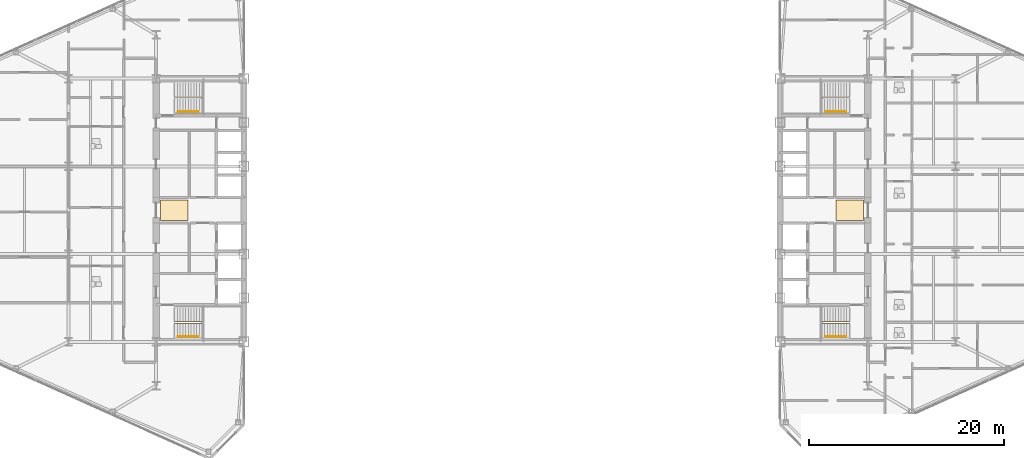
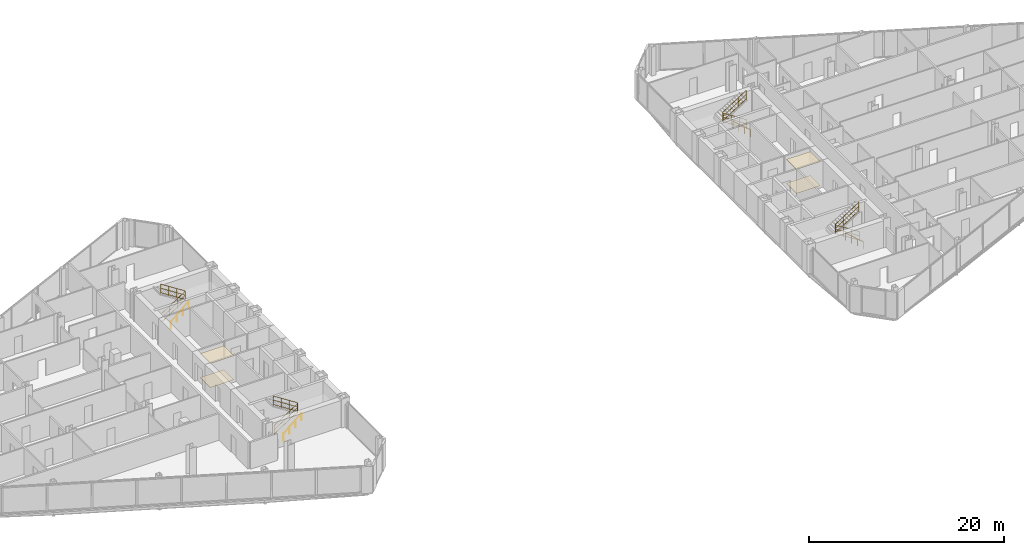
# One storey, part 26 of 27: 8 railings, 4 coverings.
"""IFC4 building model written with IfcOpenShell, lengths in metres."""

from ifc_helpers import new_model, si_unit, direction, frame, origin, origin_2d, place, context, subcontext, project, spatial, polyline, circle, outline, extrude, material, layer, layer_set, type_object, element, save


model = new_model("IFC4")

# Units and contexts
model_context = context("Model", 3, precision=1e-05, world=origin(), true_north=direction((0.0, 1.0)))
body_context = subcontext(model_context, "Body", "Model", "MODEL_VIEW")
ifc_project = project(units=[si_unit("LENGTHUNIT", "METRE"), si_unit("AREAUNIT", "SQUARE_METRE"), si_unit("VOLUMEUNIT", "CUBIC_METRE"), si_unit("PLANEANGLEUNIT", "RADIAN"), si_unit("MASSUNIT", "GRAM", prefix="KILO")], contexts=[model_context])

# Site, building, storey
site_placement = place(None, origin())
site = spatial("IfcSite", under=ifc_project, at=site_placement, CompositionType="ELEMENT")
building_placement = place(site_placement, origin())
building = spatial("IfcBuilding", under=site, at=building_placement, Name="Seokmaru Belvedere", CompositionType="ELEMENT")
storey_placement = place(building_placement, frame((0.0, 0.0, 83.699951171875)))
storey = spatial("IfcBuildingStorey", under=building, at=storey_placement, Name="L22", CompositionType="ELEMENT", Elevation=83.699951171875)

# Coverings
ifc_material_1 = material(Name="Engineered White Oak Timber", Category="wood")
ifc_layer_1 = layer(ifc_material_1, 0.02197265625)
ifc_layer_set_1 = layer_set([ifc_layer_1], Name="Engineered White Oak Timber")
covering_type_1 = type_object("IfcCoveringType", Name="Engineered Oak Residence Floor Finish 22", PredefinedType="FLOORING", material=ifc_layer_set_1)
covering_1_placement = place(storey_placement, origin())
element("IfcCovering", 1, at=covering_1_placement, inside=storey, type_object=covering_type_1, Name="L22 W Foyer Floor Finish", PredefinedType="FLOORING", context=body_context, shape_type="SweptSolid", body=[
    extrude(outline(polyline([(-36.050048828125, -1.050048828125), (-33.25, -1.050048828125), (-33.25, 1.050048828125), (-36.050048828125, 1.050048828125), (-36.050048828125, -1.050048828125)])), origin(), (0.0, 0.0, 1.0), 0.02197265625),
])
covering_2_placement = place(storey_placement, origin())
element("IfcCovering", 2, at=covering_2_placement, inside=storey, type_object=covering_type_1, Name="L22 E Foyer Floor Finish", PredefinedType="FLOORING", context=body_context, shape_type="SweptSolid", body=[
    extrude(outline(polyline([(33.25, -1.050048828125), (36.050048828125, -1.050048828125), (36.050048828125, 1.050048828125), (33.25, 1.050048828125), (33.25, -1.050048828125)])), origin(), (0.0, 0.0, 1.0), 0.02197265625),
])
ifc_material_2 = material(Name="Fire-Rated Gypsum Shaftwall")
ifc_layer_2 = layer(ifc_material_2, 0.02490234375)
ifc_layer_set_2 = layer_set([ifc_layer_2], Name="Fire-Rated Gypsum Shaftwall")
covering_type_2 = type_object("IfcCoveringType", Name="Perforated Acoustic Gypsum Suspended Ceiling 25", PredefinedType="CEILING", material=ifc_layer_set_2)
covering_3_placement = place(storey_placement, frame((0.0, 0.0, 2.989990234375)))
element("IfcCovering", 3, at=covering_3_placement, inside=storey, type_object=covering_type_2, Name="L22 W Lift Foyer Acoustic Ceiling", PredefinedType="CEILING", context=body_context, shape_type="SweptSolid", body=[
    extrude(outline(polyline([(-36.050048828125, -1.050048828125), (-33.25, -1.050048828125), (-33.25, 1.050048828125), (-36.050048828125, 1.050048828125), (-36.050048828125, -1.050048828125)])), origin(), (0.0, 0.0, 1.0), 0.025146484375),
])
covering_4_placement = place(storey_placement, frame((0.0, 0.0, 2.989990234375)))
element("IfcCovering", 4, at=covering_4_placement, inside=storey, type_object=covering_type_2, Name="L22 E Lift Foyer Acoustic Ceiling", PredefinedType="CEILING", context=body_context, shape_type="SweptSolid", body=[
    extrude(outline(polyline([(33.25, -1.050048828125), (36.050048828125, -1.050048828125), (36.050048828125, 1.050048828125), (33.25, 1.050048828125), (33.25, -1.050048828125)])), origin(), (0.0, 0.0, 1.0), 0.025146484375),
])

# Railings
ifc_material_3 = material(Name="Stainless Steel 316", Category="steel")
railing_type_1 = type_object("IfcRailingType", Name="Stainless Steel Wall and Flight Handrail 900", PredefinedType="HANDRAIL", material=ifc_material_3)
for number, where, name in (
    (5, (-34.25, -12.949951171875, 0.0), "L22 Stair ST-W1 Wall Handrail"),
    (6, (-34.25, 10.110107421875, 0.0), "L22 Stair ST-W2 Wall Handrail"),
):
    element("IfcRailing", number, at=place(storey_placement, frame(where)), inside=storey, type_object=railing_type_1, Name=name, PredefinedType="HANDRAIL", context=body_context, shape_type="SweptSolid", body=[
        extrude(circle(Radius=0.02392578125, at=origin_2d()), frame((0.0, 0.0, 0.8759765625), z_axis=(0.759262832861, 0.0, 0.650784104474), x_axis=(0.0, 1.0, 0.0)), (0.0, 0.0, 1.0), 2.765869140625),
        extrude(circle(Radius=0.02099609375, at=origin_2d()), origin(), (0.0, 0.0, 1.0), 0.851806640625),
        extrude(circle(Radius=0.02099609375, at=origin_2d()), frame((0.699951171875, 0.0, 0.60009765625)), (0.0, 0.0, 1.0), 0.851806640625),
        extrude(circle(Radius=0.02099609375, at=origin_2d()), frame((1.400146484375, 0.0, 1.199951171875)), (0.0, 0.0, 1.0), 0.851806640625),
        extrude(circle(Radius=0.02099609375, at=origin_2d()), frame((2.10009765625, 0.0, 1.800048828125)), (0.0, 0.0, 1.0), 0.851806640625),
    ])
for number, where, name in (
    (7, (34.25, -12.949951171875, 0.0), "L22 Stair ST-E1 Wall Handrail"),
    (8, (34.25, 10.110107421875, 0.0), "L22 Stair ST-E2 Wall Handrail"),
):
    element("IfcRailing", number, at=place(storey_placement, frame(where)), inside=storey, type_object=railing_type_1, Name=name, PredefinedType="HANDRAIL", context=body_context, shape_type="SweptSolid", body=[
        extrude(circle(Radius=0.02392578125, at=origin_2d()), frame((0.0, 0.0, 0.8759765625), z_axis=(-0.759262832861, 0.0, 0.650784104474), x_axis=(0.0, -1.0, 0.0)), (0.0, 0.0, 1.0), 2.765869140625),
        extrude(circle(Radius=0.02099609375, at=origin_2d()), origin(), (0.0, 0.0, 1.0), 0.851806640625),
        extrude(circle(Radius=0.02099609375, at=origin_2d()), frame((-0.699951171875, 0.0, 0.60009765625)), (0.0, 0.0, 1.0), 0.851806640625),
        extrude(circle(Radius=0.02099609375, at=origin_2d()), frame((-1.400146484375, 0.0, 1.199951171875)), (0.0, 0.0, 1.0), 0.851806640625),
        extrude(circle(Radius=0.02099609375, at=origin_2d()), frame((-2.10009765625, 0.0, 1.800048828125)), (0.0, 0.0, 1.0), 0.851806640625),
    ])
railing_type_2 = type_object("IfcRailingType", Name="Stair Well and Atrium Steel Guardrail 1200", PredefinedType="GUARDRAIL", material=ifc_material_3)
railing_1_placement = place(storey_placement, frame((-34.60009765625, -11.60009765625, 0.0)))
element("IfcRailing", 9, at=railing_1_placement, inside=storey, type_object=railing_type_2, Name="L22 Stair ST-W1 Inner Well Guardrail", PredefinedType="GUARDRAIL", context=body_context, shape_type="SweptSolid", body=[
    extrude(circle(Radius=0.02392578125, at=origin_2d()), frame((0.0, 0.0, 1.17578125), z_axis=(0.841176092368, 0.0, 0.540761298198), x_axis=(0.0, 1.0, 0.0)), (0.0, 0.0, 1.0), 3.32861328125),
    extrude(circle(Radius=0.02392578125, at=origin_2d()), frame((0.0, 0.0, 0.1201171875), z_axis=(0.841176092368, 0.0, 0.540761298198), x_axis=(0.0, 1.0, 0.0)), (0.0, 0.0, 1.0), 3.32861328125),
    extrude(circle(Radius=0.02392578125, at=origin_2d()), frame((0.0, 0.0, 0.659912109375), z_axis=(0.841176092368, 0.0, 0.540761298198), x_axis=(0.0, 1.0, 0.0)), (0.0, 0.0, 1.0), 3.32861328125),
    extrude(circle(Radius=0.02392578125, at=origin_2d()), frame((2.800048828125, 0.0, 2.97607421875), z_axis=(0.0, 1.0, 0.0), x_axis=(-1.0, 0.0, 0.0)), (0.0, 0.0, 1.0), 0.14013671875),
    extrude(circle(Radius=0.02392578125, at=origin_2d()), frame((2.800048828125, 0.0, 1.920166015625), z_axis=(0.0, 1.0, 0.0), x_axis=(-1.0, 0.0, 0.0)), (0.0, 0.0, 1.0), 0.14013671875),
    extrude(circle(Radius=0.02392578125, at=origin_2d()), frame((2.800048828125, 0.0, 2.4599609375), z_axis=(0.0, 1.0, 0.0), x_axis=(-1.0, 0.0, 0.0)), (0.0, 0.0, 1.0), 0.14013671875),
    extrude(circle(Radius=0.02392578125, at=origin_2d()), frame((2.800048828125, 0.14013671875, 2.97607421875), z_axis=(-0.841176092368, 0.0, 0.540761298198), x_axis=(0.0, -1.0, 0.0)), (0.0, 0.0, 1.0), 3.32861328125),
    extrude(circle(Radius=0.02392578125, at=origin_2d()), frame((2.800048828125, 0.14013671875, 1.920166015625), z_axis=(-0.841176092368, 0.0, 0.540761298198), x_axis=(0.0, -1.0, 0.0)), (0.0, 0.0, 1.0), 3.32861328125),
    extrude(circle(Radius=0.02392578125, at=origin_2d()), frame((2.800048828125, 0.14013671875, 2.4599609375), z_axis=(-0.841176092368, 0.0, 0.540761298198), x_axis=(0.0, -1.0, 0.0)), (0.0, 0.0, 1.0), 3.32861328125),
    extrude(circle(Radius=0.02099609375, at=origin_2d()), origin(), (0.0, 0.0, 1.0), 1.15185546875),
    extrude(circle(Radius=0.02099609375, at=origin_2d()), frame((0.933349609375, 0.0, 0.60009765625)), (0.0, 0.0, 1.0), 1.15185546875),
    extrude(circle(Radius=0.02099609375, at=origin_2d()), frame((1.86669921875, 0.0, 1.199951171875)), (0.0, 0.0, 1.0), 1.15185546875),
    extrude(circle(Radius=0.02099609375, at=origin_2d()), frame((2.800048828125, 0.0, 1.800048828125)), (0.0, 0.0, 1.0), 1.15185546875),
    extrude(circle(Radius=0.02099609375, at=origin_2d()), frame((2.800048828125, 0.14013671875, 1.800048828125)), (0.0, 0.0, 1.0), 1.15185546875),
    extrude(circle(Radius=0.02099609375, at=origin_2d()), frame((1.86669921875, 0.14013671875, 2.400146484375)), (0.0, 0.0, 1.0), 1.15185546875),
    extrude(circle(Radius=0.02099609375, at=origin_2d()), frame((0.933349609375, 0.14013671875, 3.0)), (0.0, 0.0, 1.0), 1.15185546875),
    extrude(circle(Radius=0.02099609375, at=origin_2d()), frame((0.0, 0.14013671875, 3.60009765625)), (0.0, 0.0, 1.0), 1.15185546875),
])
railing_2_placement = place(storey_placement, frame((-34.60009765625, 11.4599609375, 0.0)))
element("IfcRailing", 10, at=railing_2_placement, inside=storey, type_object=railing_type_2, Name="L22 Stair ST-W2 Inner Well Guardrail", PredefinedType="GUARDRAIL", context=body_context, shape_type="SweptSolid", body=[
    extrude(circle(Radius=0.02392578125, at=origin_2d()), frame((0.0, 0.0, 1.17578125), z_axis=(0.841176092368, 0.0, 0.540761298198), x_axis=(0.0, 1.0, 0.0)), (0.0, 0.0, 1.0), 3.32861328125),
    extrude(circle(Radius=0.02392578125, at=origin_2d()), frame((0.0, 0.0, 0.1201171875), z_axis=(0.841176092368, 0.0, 0.540761298198), x_axis=(0.0, 1.0, 0.0)), (0.0, 0.0, 1.0), 3.32861328125),
    extrude(circle(Radius=0.02392578125, at=origin_2d()), frame((0.0, 0.0, 0.659912109375), z_axis=(0.841176092368, 0.0, 0.540761298198), x_axis=(0.0, 1.0, 0.0)), (0.0, 0.0, 1.0), 3.32861328125),
    extrude(circle(Radius=0.02392578125, at=origin_2d()), frame((2.800048828125, 0.0, 2.97607421875), z_axis=(0.0, 1.0, 0.0), x_axis=(-1.0, 0.0, 0.0)), (0.0, 0.0, 1.0), 0.14013671875),
    extrude(circle(Radius=0.02392578125, at=origin_2d()), frame((2.800048828125, 0.0, 1.920166015625), z_axis=(0.0, 1.0, 0.0), x_axis=(-1.0, 0.0, 0.0)), (0.0, 0.0, 1.0), 0.14013671875),
    extrude(circle(Radius=0.02392578125, at=origin_2d()), frame((2.800048828125, 0.0, 2.4599609375), z_axis=(0.0, 1.0, 0.0), x_axis=(-1.0, 0.0, 0.0)), (0.0, 0.0, 1.0), 0.14013671875),
    extrude(circle(Radius=0.02392578125, at=origin_2d()), frame((2.800048828125, 0.14013671875, 2.97607421875), z_axis=(-0.841176092368, 0.0, 0.540761298198), x_axis=(0.0, -1.0, 0.0)), (0.0, 0.0, 1.0), 3.32861328125),
    extrude(circle(Radius=0.02392578125, at=origin_2d()), frame((2.800048828125, 0.14013671875, 1.920166015625), z_axis=(-0.841176092368, 0.0, 0.540761298198), x_axis=(0.0, -1.0, 0.0)), (0.0, 0.0, 1.0), 3.32861328125),
    extrude(circle(Radius=0.02392578125, at=origin_2d()), frame((2.800048828125, 0.14013671875, 2.4599609375), z_axis=(-0.841176092368, 0.0, 0.540761298198), x_axis=(0.0, -1.0, 0.0)), (0.0, 0.0, 1.0), 3.32861328125),
    extrude(circle(Radius=0.02099609375, at=origin_2d()), origin(), (0.0, 0.0, 1.0), 1.15185546875),
    extrude(circle(Radius=0.02099609375, at=origin_2d()), frame((0.933349609375, 0.0, 0.60009765625)), (0.0, 0.0, 1.0), 1.15185546875),
    extrude(circle(Radius=0.02099609375, at=origin_2d()), frame((1.86669921875, 0.0, 1.199951171875)), (0.0, 0.0, 1.0), 1.15185546875),
    extrude(circle(Radius=0.02099609375, at=origin_2d()), frame((2.800048828125, 0.0, 1.800048828125)), (0.0, 0.0, 1.0), 1.15185546875),
    extrude(circle(Radius=0.02099609375, at=origin_2d()), frame((2.800048828125, 0.14013671875, 1.800048828125)), (0.0, 0.0, 1.0), 1.15185546875),
    extrude(circle(Radius=0.02099609375, at=origin_2d()), frame((1.86669921875, 0.14013671875, 2.400146484375)), (0.0, 0.0, 1.0), 1.15185546875),
    extrude(circle(Radius=0.02099609375, at=origin_2d()), frame((0.933349609375, 0.14013671875, 3.0)), (0.0, 0.0, 1.0), 1.15185546875),
    extrude(circle(Radius=0.02099609375, at=origin_2d()), frame((0.0, 0.14013671875, 3.60009765625)), (0.0, 0.0, 1.0), 1.15185546875),
])
railing_3_placement = place(storey_placement, frame((34.60009765625, -11.60009765625, 0.0)))
element("IfcRailing", 11, at=railing_3_placement, inside=storey, type_object=railing_type_2, Name="L22 Stair ST-E1 Inner Well Guardrail", PredefinedType="GUARDRAIL", context=body_context, shape_type="SweptSolid", body=[
    extrude(circle(Radius=0.02392578125, at=origin_2d()), frame((0.0, 0.0, 1.17578125), z_axis=(-0.841176092368, 0.0, 0.540761298198), x_axis=(0.0, -1.0, 0.0)), (0.0, 0.0, 1.0), 3.32861328125),
    extrude(circle(Radius=0.02392578125, at=origin_2d()), frame((0.0, 0.0, 0.1201171875), z_axis=(-0.841176092368, 0.0, 0.540761298198), x_axis=(0.0, -1.0, 0.0)), (0.0, 0.0, 1.0), 3.32861328125),
    extrude(circle(Radius=0.02392578125, at=origin_2d()), frame((0.0, 0.0, 0.659912109375), z_axis=(-0.841176092368, 0.0, 0.540761298198), x_axis=(0.0, -1.0, 0.0)), (0.0, 0.0, 1.0), 3.32861328125),
    extrude(circle(Radius=0.02392578125, at=origin_2d()), frame((-2.800048828125, 0.0, 2.97607421875), z_axis=(0.0, 1.0, 0.0), x_axis=(-1.0, 0.0, 0.0)), (0.0, 0.0, 1.0), 0.14013671875),
    extrude(circle(Radius=0.02392578125, at=origin_2d()), frame((-2.800048828125, 0.0, 1.920166015625), z_axis=(0.0, 1.0, 0.0), x_axis=(-1.0, 0.0, 0.0)), (0.0, 0.0, 1.0), 0.14013671875),
    extrude(circle(Radius=0.02392578125, at=origin_2d()), frame((-2.800048828125, 0.0, 2.4599609375), z_axis=(0.0, 1.0, 0.0), x_axis=(-1.0, 0.0, 0.0)), (0.0, 0.0, 1.0), 0.14013671875),
    extrude(circle(Radius=0.02392578125, at=origin_2d()), frame((-2.800048828125, 0.14013671875, 2.97607421875), z_axis=(0.841176092368, 0.0, 0.540761298198), x_axis=(0.0, 1.0, 0.0)), (0.0, 0.0, 1.0), 3.32861328125),
    extrude(circle(Radius=0.02392578125, at=origin_2d()), frame((-2.800048828125, 0.14013671875, 1.920166015625), z_axis=(0.841176092368, 0.0, 0.540761298198), x_axis=(0.0, 1.0, 0.0)), (0.0, 0.0, 1.0), 3.32861328125),
    extrude(circle(Radius=0.02392578125, at=origin_2d()), frame((-2.800048828125, 0.14013671875, 2.4599609375), z_axis=(0.841176092368, 0.0, 0.540761298198), x_axis=(0.0, 1.0, 0.0)), (0.0, 0.0, 1.0), 3.32861328125),
    extrude(circle(Radius=0.02099609375, at=origin_2d()), origin(), (0.0, 0.0, 1.0), 1.15185546875),
    extrude(circle(Radius=0.02099609375, at=origin_2d()), frame((-0.933349609375, 0.0, 0.60009765625)), (0.0, 0.0, 1.0), 1.15185546875),
    extrude(circle(Radius=0.02099609375, at=origin_2d()), frame((-1.86669921875, 0.0, 1.199951171875)), (0.0, 0.0, 1.0), 1.15185546875),
    extrude(circle(Radius=0.02099609375, at=origin_2d()), frame((-2.800048828125, 0.0, 1.800048828125)), (0.0, 0.0, 1.0), 1.15185546875),
    extrude(circle(Radius=0.02099609375, at=origin_2d()), frame((-2.800048828125, 0.14013671875, 1.800048828125)), (0.0, 0.0, 1.0), 1.15185546875),
    extrude(circle(Radius=0.02099609375, at=origin_2d()), frame((-1.86669921875, 0.14013671875, 2.400146484375)), (0.0, 0.0, 1.0), 1.15185546875),
    extrude(circle(Radius=0.02099609375, at=origin_2d()), frame((-0.933349609375, 0.14013671875, 3.0)), (0.0, 0.0, 1.0), 1.15185546875),
    extrude(circle(Radius=0.02099609375, at=origin_2d()), frame((0.0, 0.14013671875, 3.60009765625)), (0.0, 0.0, 1.0), 1.15185546875),
])
railing_4_placement = place(storey_placement, frame((34.60009765625, 11.4599609375, 0.0)))
element("IfcRailing", 12, at=railing_4_placement, inside=storey, type_object=railing_type_2, Name="L22 Stair ST-E2 Inner Well Guardrail", PredefinedType="GUARDRAIL", context=body_context, shape_type="SweptSolid", body=[
    extrude(circle(Radius=0.02392578125, at=origin_2d()), frame((0.0, 0.0, 1.17578125), z_axis=(-0.841176092368, 0.0, 0.540761298198), x_axis=(0.0, -1.0, 0.0)), (0.0, 0.0, 1.0), 3.32861328125),
    extrude(circle(Radius=0.02392578125, at=origin_2d()), frame((0.0, 0.0, 0.1201171875), z_axis=(-0.841176092368, 0.0, 0.540761298198), x_axis=(0.0, -1.0, 0.0)), (0.0, 0.0, 1.0), 3.32861328125),
    extrude(circle(Radius=0.02392578125, at=origin_2d()), frame((0.0, 0.0, 0.659912109375), z_axis=(-0.841176092368, 0.0, 0.540761298198), x_axis=(0.0, -1.0, 0.0)), (0.0, 0.0, 1.0), 3.32861328125),
    extrude(circle(Radius=0.02392578125, at=origin_2d()), frame((-2.800048828125, 0.0, 2.97607421875), z_axis=(0.0, 1.0, 0.0), x_axis=(-1.0, 0.0, 0.0)), (0.0, 0.0, 1.0), 0.14013671875),
    extrude(circle(Radius=0.02392578125, at=origin_2d()), frame((-2.800048828125, 0.0, 1.920166015625), z_axis=(0.0, 1.0, 0.0), x_axis=(-1.0, 0.0, 0.0)), (0.0, 0.0, 1.0), 0.14013671875),
    extrude(circle(Radius=0.02392578125, at=origin_2d()), frame((-2.800048828125, 0.0, 2.4599609375), z_axis=(0.0, 1.0, 0.0), x_axis=(-1.0, 0.0, 0.0)), (0.0, 0.0, 1.0), 0.14013671875),
    extrude(circle(Radius=0.02392578125, at=origin_2d()), frame((-2.800048828125, 0.14013671875, 2.97607421875), z_axis=(0.841176092368, 0.0, 0.540761298198), x_axis=(0.0, 1.0, 0.0)), (0.0, 0.0, 1.0), 3.32861328125),
    extrude(circle(Radius=0.02392578125, at=origin_2d()), frame((-2.800048828125, 0.14013671875, 1.920166015625), z_axis=(0.841176092368, 0.0, 0.540761298198), x_axis=(0.0, 1.0, 0.0)), (0.0, 0.0, 1.0), 3.32861328125),
    extrude(circle(Radius=0.02392578125, at=origin_2d()), frame((-2.800048828125, 0.14013671875, 2.4599609375), z_axis=(0.841176092368, 0.0, 0.540761298198), x_axis=(0.0, 1.0, 0.0)), (0.0, 0.0, 1.0), 3.32861328125),
    extrude(circle(Radius=0.02099609375, at=origin_2d()), origin(), (0.0, 0.0, 1.0), 1.15185546875),
    extrude(circle(Radius=0.02099609375, at=origin_2d()), frame((-0.933349609375, 0.0, 0.60009765625)), (0.0, 0.0, 1.0), 1.15185546875),
    extrude(circle(Radius=0.02099609375, at=origin_2d()), frame((-1.86669921875, 0.0, 1.199951171875)), (0.0, 0.0, 1.0), 1.15185546875),
    extrude(circle(Radius=0.02099609375, at=origin_2d()), frame((-2.800048828125, 0.0, 1.800048828125)), (0.0, 0.0, 1.0), 1.15185546875),
    extrude(circle(Radius=0.02099609375, at=origin_2d()), frame((-2.800048828125, 0.14013671875, 1.800048828125)), (0.0, 0.0, 1.0), 1.15185546875),
    extrude(circle(Radius=0.02099609375, at=origin_2d()), frame((-1.86669921875, 0.14013671875, 2.400146484375)), (0.0, 0.0, 1.0), 1.15185546875),
    extrude(circle(Radius=0.02099609375, at=origin_2d()), frame((-0.933349609375, 0.14013671875, 3.0)), (0.0, 0.0, 1.0), 1.15185546875),
    extrude(circle(Radius=0.02099609375, at=origin_2d()), frame((0.0, 0.14013671875, 3.60009765625)), (0.0, 0.0, 1.0), 1.15185546875),
])

save(model, "model.ifc")
